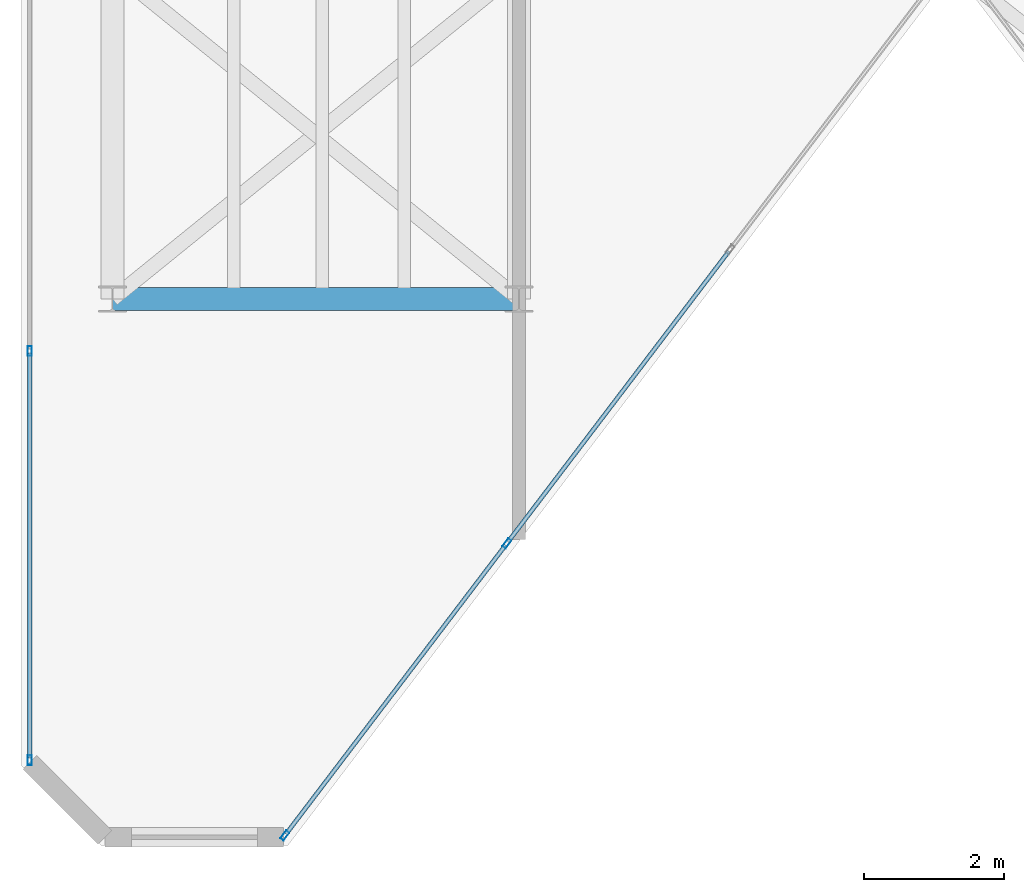
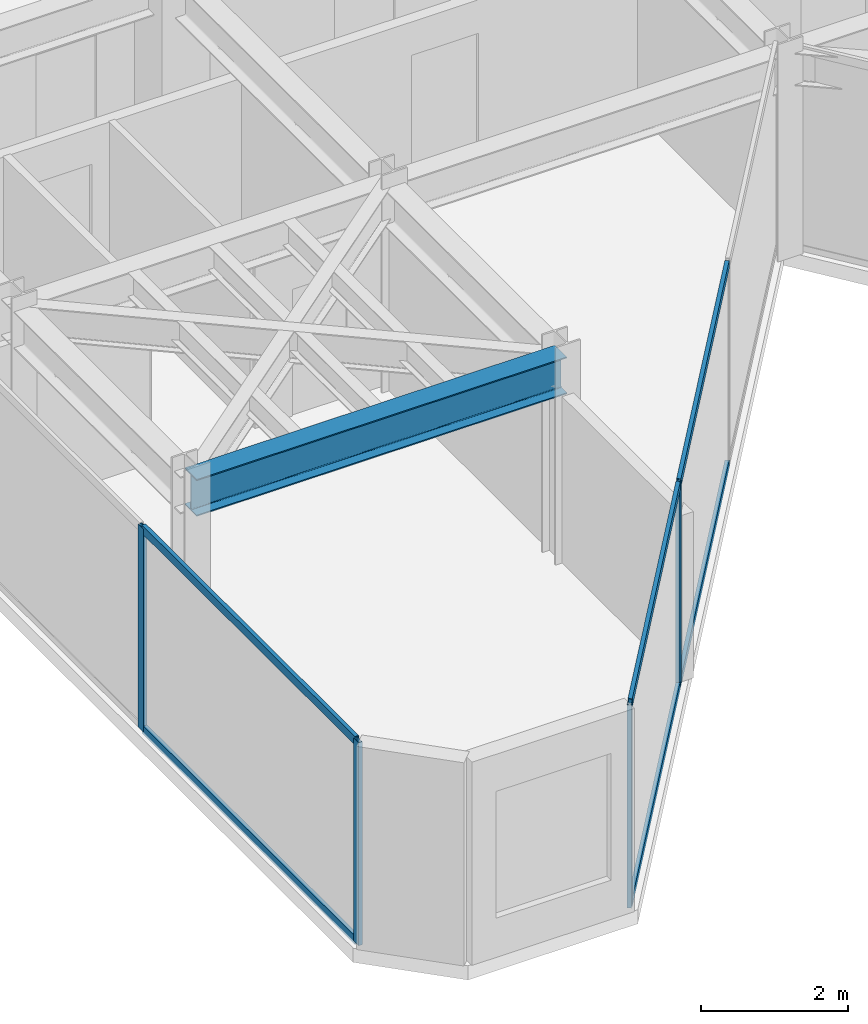
# One storey, part 2 of 17: 10 members, 1 beam, 2 elements without a shape of their own.
"""IFC4 building model written with IfcOpenShell, lengths in metres."""

from ifc_helpers import new_model, si_unit, direction, frame, origin, origin_2d, place, context, subcontext, project, spatial, hollow_rectangle, i_section, extrude, material, layer, layer_set, material_profile, profile_set, type_object, element, aggregate, save


model = new_model("IFC4")

# Units and contexts
model_context = context("Model", 3, precision=1e-05, world=origin(), true_north=direction((0.0, 1.0)))
body_context = subcontext(model_context, "Body", "Model", "MODEL_VIEW")
ifc_project = project(units=[si_unit("LENGTHUNIT", "METRE"), si_unit("AREAUNIT", "SQUARE_METRE"), si_unit("VOLUMEUNIT", "CUBIC_METRE"), si_unit("PLANEANGLEUNIT", "RADIAN"), si_unit("MASSUNIT", "GRAM", prefix="KILO")], contexts=[model_context])

# Site, building, storey
site_placement = place(None, origin())
site = spatial("IfcSite", under=ifc_project, at=site_placement, CompositionType="ELEMENT")
building_placement = place(site_placement, origin())
building = spatial("IfcBuilding", under=site, at=building_placement, Name="Kravanh Interchange Tower", CompositionType="ELEMENT")
storey_placement = place(building_placement, frame((0.0, 0.0, 285.89990234375)))
storey = spatial("IfcBuildingStorey", under=building, at=storey_placement, Name="L70", CompositionType="ELEMENT", Elevation=285.89990234375)

# Curtain wall, members
ifc_material_1 = material(Name="Anodised Bronze Aluminium", Category="aluminium")
ifc_layer = layer(ifc_material_1, 0.179931640625)
ifc_layer_set = layer_set([ifc_layer], Name="Unitised Curtain Wall System CW-HTL Luxury Hotel")
curtain_wall_type = type_object("IfcCurtainWallType", Name="Unitised Curtain Wall System CW-HTL Luxury Hotel", PredefinedType="NOTDEFINED", material=ifc_layer_set)
curtain_wall_1_placement = place(storey_placement, origin())
curtain_wall_1 = element("IfcCurtainWall", 1, at=curtain_wall_1_placement, inside=storey, type_object=curtain_wall_type, Name="L70 Unitised Curtain Wall CW-L70-01", PredefinedType="NOTDEFINED")
ifc_material_2 = material(Name="Anodised Bronze Aluminium", Category="aluminium")
ifc_material_profile_1 = material_profile(ifc_material_2, hollow_rectangle(XDim=0.06005859375, YDim=0.139892578125, WallThickness=0.00390625, at=origin_2d()), Name="ALU60X140X4")
ifc_profile_set_1 = profile_set([ifc_material_profile_1], Name="Anodised Bronze Aluminium")
member_type_1 = type_object("IfcMemberType", Name="Curtain Wall Mullion ALU60X140X4 Bronze", PredefinedType="MULLION", material=ifc_profile_set_1)
member_1_placement = place(storey_placement, frame((31.6201171875, 20.2197265625, 0.0), z_axis=(0.0, 0.0, 1.0), x_axis=(-1.0, 0.0, 0.0)))
member_1 = element("IfcMember", 2, at=member_1_placement, type_object=member_type_1, Name="CW-HTL mullion 1", PredefinedType="MULLION", context=body_context, shape_type="SweptSolid", body=[
    extrude(hollow_rectangle(XDim=0.06005859375, YDim=0.139892578125, WallThickness=0.00390625, at=origin_2d()), origin(), (0.0, 0.0, 1.0), 3.364990234375),
])
member_2_placement = place(storey_placement, frame((31.6201171875, 26.059814453125, 0.0), z_axis=(0.0, 0.0, 1.0), x_axis=(-1.0, 0.0, 0.0)))
member_2 = element("IfcMember", 3, at=member_2_placement, type_object=member_type_1, Name="CW-HTL mullion 2", PredefinedType="MULLION", context=body_context, shape_type="SweptSolid", body=[
    extrude(hollow_rectangle(XDim=0.06005859375, YDim=0.139892578125, WallThickness=0.00390625, at=origin_2d()), origin(), (0.0, 0.0, 1.0), 3.364990234375),
])

curtain_wall_2_placement = place(storey_placement, origin())
curtain_wall_2 = element("IfcCurtainWall", 4, at=curtain_wall_2_placement, inside=storey, type_object=curtain_wall_type, Name="L70 Unitised Curtain Wall CW-L70-05", PredefinedType="NOTDEFINED")
member_3_placement = place(storey_placement, frame((38.427001953125, 23.312744140625, 0.0), z_axis=(0.0, 0.0, 1.0), x_axis=(0.79616243806, -0.605082946564, 0.0)))
member_3 = element("IfcMember", 5, at=member_3_placement, type_object=member_type_1, Name="CW-HTL mullion 3", PredefinedType="MULLION", context=body_context, shape_type="SweptSolid", body=[
    extrude(hollow_rectangle(XDim=0.06005859375, YDim=0.139892578125, WallThickness=0.00390625, at=origin_2d()), origin(), (0.0, 0.0, 1.0), 3.364990234375),
])
member_4_placement = place(storey_placement, frame((35.258544921875, 19.143798828125, 0.0), z_axis=(0.0, 0.0, 1.0), x_axis=(0.79616243806, -0.605082946564, 0.0)))
member_4 = element("IfcMember", 6, at=member_4_placement, type_object=member_type_1, Name="CW-HTL mullion 4", PredefinedType="MULLION", context=body_context, shape_type="SweptSolid", body=[
    extrude(hollow_rectangle(XDim=0.06005859375, YDim=0.139892578125, WallThickness=0.00390625, at=origin_2d()), origin(), (0.0, 0.0, 1.0), 3.364990234375),
])

# Member
ifc_material_3 = material(Name="Anodised Bronze Aluminium", Category="aluminium")
ifc_material_profile_2 = material_profile(ifc_material_3, hollow_rectangle(XDim=0.06005859375, YDim=0.139892578125, WallThickness=0.00390625, at=origin_2d()), Name="ALU60X140X4")
ifc_profile_set_2 = profile_set([ifc_material_profile_2], Name="Anodised Bronze Aluminium")
member_type_2 = type_object("IfcMemberType", Name="Curtain Wall Transom ALU60X140X4 Bronze", PredefinedType="USERDEFINED", material=ifc_profile_set_2)
member_5_placement = place(storey_placement, frame((31.6201171875, 20.249755859375, 0.030029296875), z_axis=(0.0, 1.0, 0.0), x_axis=(-1.0, 0.0, 0.0)))
member_5 = element("IfcMember", 7, at=member_5_placement, type_object=member_type_2, Name="CW-HTL transom 1.1", ObjectType="TRANSOM", PredefinedType="USERDEFINED", context=body_context, shape_type="SweptSolid", body=[
    extrude(hollow_rectangle(XDim=0.06005859375, YDim=0.139892578125, WallThickness=0.00390625, at=origin_2d()), origin(), (0.0, 0.0, 1.0), 5.780029296875),
])

member_6_placement = place(storey_placement, frame((31.6201171875, 20.249755859375, 3.335205078125), z_axis=(0.0, 1.0, 0.0), x_axis=(-1.0, 0.0, 0.0)))
member_6 = element("IfcMember", 8, at=member_6_placement, type_object=member_type_2, Name="CW-HTL transom 1.2", ObjectType="TRANSOM", PredefinedType="USERDEFINED", context=body_context, shape_type="SweptSolid", body=[
    extrude(hollow_rectangle(XDim=0.06005859375, YDim=0.139892578125, WallThickness=0.00390625, at=origin_2d()), origin(), (0.0, 0.0, 1.0), 5.780029296875),
])

aggregate(curtain_wall_1, [member_1, member_2, member_5, member_6])

member_7_placement = place(storey_placement, frame((41.595458984375, 27.481689453125, 0.030029296875), z_axis=(-0.605104668693, -0.796145928788, 0.0), x_axis=(0.796145928788, -0.605104668693, 0.0)))
member_7 = element("IfcMember", 9, at=member_7_placement, type_object=member_type_2, Name="CW-HTL transom 2.1", ObjectType="TRANSOM", PredefinedType="USERDEFINED", context=body_context, shape_type="SweptSolid", body=[
    extrude(hollow_rectangle(XDim=0.06005859375, YDim=0.139892578125, WallThickness=0.00390625, at=origin_2d()), origin(), (0.0, 0.0, 1.0), 5.206298828125),
])

member_8_placement = place(storey_placement, frame((41.595458984375, 27.481689453125, 3.335205078125), z_axis=(-0.605104668693, -0.796145928788, 0.0), x_axis=(0.796145928788, -0.605104668693, 0.0)))
member_8 = element("IfcMember", 10, at=member_8_placement, type_object=member_type_2, Name="CW-HTL transom 2.2", ObjectType="TRANSOM", PredefinedType="USERDEFINED", context=body_context, shape_type="SweptSolid", body=[
    extrude(hollow_rectangle(XDim=0.06005859375, YDim=0.139892578125, WallThickness=0.00390625, at=origin_2d()), origin(), (0.0, 0.0, 1.0), 5.206298828125),
])

member_9_placement = place(storey_placement, frame((38.408935546875, 23.288818359375, 0.030029296875), z_axis=(-0.605089246946, -0.796157649734, 0.0), x_axis=(0.796157649734, -0.605089246946, 0.0)))
member_9 = element("IfcMember", 11, at=member_9_placement, type_object=member_type_2, Name="CW-HTL transom 3.1", ObjectType="TRANSOM", PredefinedType="USERDEFINED", context=body_context, shape_type="SweptSolid", body=[
    extrude(hollow_rectangle(XDim=0.06005859375, YDim=0.139892578125, WallThickness=0.00390625, at=origin_2d()), origin(), (0.0, 0.0, 1.0), 5.17626953125),
])

member_10_placement = place(storey_placement, frame((38.408935546875, 23.288818359375, 3.335205078125), z_axis=(-0.605089246946, -0.796157649734, 0.0), x_axis=(0.796157649734, -0.605089246946, 0.0)))
member_10 = element("IfcMember", 12, at=member_10_placement, type_object=member_type_2, Name="CW-HTL transom 3.2", ObjectType="TRANSOM", PredefinedType="USERDEFINED", context=body_context, shape_type="SweptSolid", body=[
    extrude(hollow_rectangle(XDim=0.06005859375, YDim=0.139892578125, WallThickness=0.00390625, at=origin_2d()), origin(), (0.0, 0.0, 1.0), 5.17626953125),
])

aggregate(curtain_wall_2, [member_3, member_4, member_7, member_8, member_9, member_10])

# Beam
ifc_material_4 = material(Name="Structural Steel S355", Category="steel")
ifc_material_profile_3 = material_profile(ifc_material_4, i_section(OverallWidth=0.323974609375, OverallDepth=0.611083984375, WebThickness=0.0126953125, FlangeThickness=0.01904296875, FilletRadius=0.02197265625, at=origin_2d()), Name="W24X104")
ifc_profile_set_3 = profile_set([ifc_material_profile_3], Name="Structural Steel S355")
beam_type = type_object("IfcBeamType", Name="Floor Beam W24X104 Structural Steel S355", PredefinedType="BEAM", material=ifc_profile_set_3)
beam_placement = place(storey_placement, frame((38.60009765625, 26.800048828125, 3.0595703125), z_axis=(-1.0, 0.0, 0.0), x_axis=(0.0, -1.0, 0.0)))
element("IfcBeam", 13, at=beam_placement, inside=storey, type_object=beam_type, Name="L70 Primary Floor Girder 24", PredefinedType="BEAM", context=body_context, shape_type="SweptSolid", body=[
    extrude(i_section(OverallWidth=0.323974609375, OverallDepth=0.611083984375, WebThickness=0.0126953125, FlangeThickness=0.01904296875, FilletRadius=0.02197265625, at=origin_2d()), origin(), (0.0, 0.0, 1.0), 5.800048828125),
])

save(model, "model.ifc")
